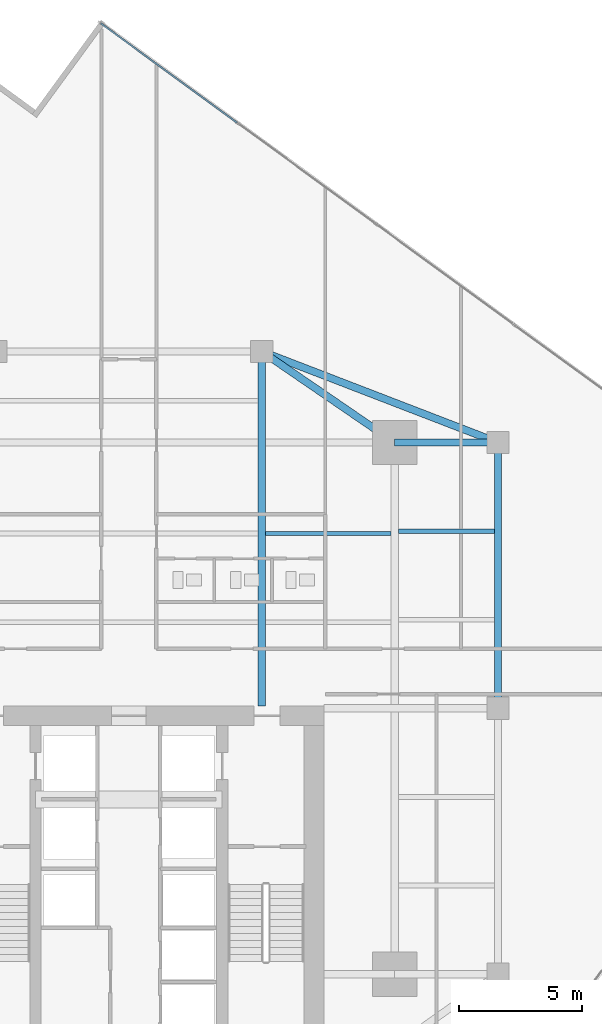
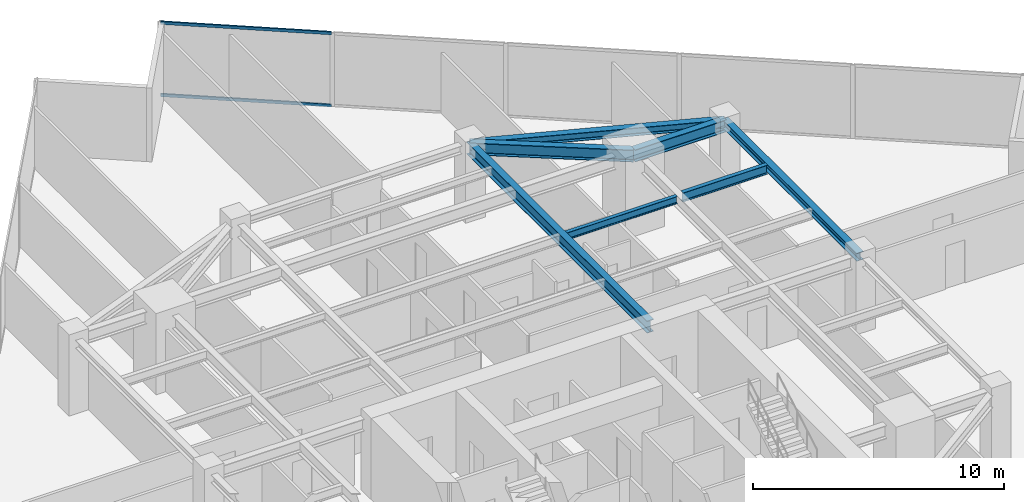
# One storey, part 16 of 25: 7 beams, 2 members, 1 element without a shape of its own.
"""IFC4 building model written with IfcOpenShell, lengths in metres."""

from ifc_helpers import new_model, si_unit, direction, frame, origin, origin_2d, place, context, subcontext, project, spatial, hollow_rectangle, i_section, extrude, source, transform, mapped, material, material_profile, profile_set, type_object, type_shapes, element, aggregate, save


model = new_model("IFC4")

# Units and contexts
model_context = context("Model", 3, precision=1e-05, world=origin(), true_north=direction((0.0, 1.0)))
body_context = subcontext(model_context, "Body", "Model", "MODEL_VIEW")
ifc_project = project(units=[si_unit("LENGTHUNIT", "METRE"), si_unit("AREAUNIT", "SQUARE_METRE"), si_unit("VOLUMEUNIT", "CUBIC_METRE"), si_unit("PLANEANGLEUNIT", "RADIAN"), si_unit("MASSUNIT", "GRAM", prefix="KILO")], contexts=[model_context])

# Site, building, storey
site_placement = place(None, origin())
site = spatial("IfcSite", under=ifc_project, at=site_placement, CompositionType="ELEMENT")
building_placement = place(site_placement, origin())
building = spatial("IfcBuilding", under=site, at=building_placement, Name="Krantzveldt Concourse Tower", CompositionType="ELEMENT")
storey_placement = place(building_placement, frame((0.0, 0.0, 197.550048828125)))
storey = spatial("IfcBuildingStorey", under=building, at=storey_placement, Name="L48", CompositionType="ELEMENT", Elevation=197.550048828125)

# Beams
ifc_material_1 = material(Name="Steel S355JR", Category="steel")
ifc_material_profile_1 = material_profile(ifc_material_1, i_section(OverallWidth=0.300048828125, OverallDepth=0.590087890625, WebThickness=0.012939453125, FlangeThickness=0.02490234375, FilletRadius=0.027099609375, at=origin_2d()), Name="Steel S355JR", Category="steel")
ifc_profile_set_1 = profile_set([ifc_material_profile_1], Name="Steel S355JR - HEA 600")
beam_type_1 = type_object("IfcBeamType", Name="BM-B-HEA600", PredefinedType="BEAM", material=ifc_profile_set_1)
shared_shape_1 = source(origin(), body_context, "Body", "SweptSolid", [
    extrude(i_section(OverallWidth=0.300048828125, OverallDepth=0.590087890625, WebThickness=0.012939453125, FlangeThickness=0.02490234375, FilletRadius=0.027099609375, at=origin_2d()), origin(), (0.0, 0.0, 1.0), 14.39990234375),
])
beam_1_placement = place(storey_placement, frame((41.39990234375, 26.800048828125, 3.294921875), z_axis=(0.0, 1.0, 0.0), x_axis=(-1.0, 0.0, 0.0)))
element("IfcBeam", 1, at=beam_1_placement, inside=storey, type_object=beam_type_1, Name="L48 Tower Girder BG-CNE", PredefinedType="BEAM", context=body_context, shape_type="MappedRepresentation", body=[
    mapped(shared_shape_1, transform((0.0, 0.0, 0.0), x_axis=(1.0, 0.0, 0.0), y_axis=(0.0, 1.0, 0.0), z_axis=(0.0, 0.0, 1.0), scale=1.0)),
])
shared_shape_2 = source(origin(), body_context, "Body", "SweptSolid", [
    extrude(i_section(OverallWidth=0.300048828125, OverallDepth=0.590087890625, WebThickness=0.012939453125, FlangeThickness=0.02490234375, FilletRadius=0.027099609375, at=origin_2d()), origin(), (0.0, 0.0, 1.0), 4.199951171875),
])
beam_2_placement = place(storey_placement, frame((46.800048828125, 37.5, 3.294921875), z_axis=(1.0, 0.0, 0.0), x_axis=(0.0, 1.0, 0.0)))
element("IfcBeam", 2, at=beam_2_placement, inside=storey, type_object=beam_type_1, Name="L48 Tower Girder BR-RR3", PredefinedType="BEAM", context=body_context, shape_type="MappedRepresentation", body=[
    mapped(shared_shape_2, transform((0.0, 0.0, 0.0), x_axis=(1.0, 0.0, 0.0), y_axis=(0.0, 1.0, 0.0), z_axis=(0.0, 0.0, 1.0), scale=1.0)),
])
shared_shape_3 = source(origin(), body_context, "Body", "SweptSolid", [
    extrude(i_section(OverallWidth=0.300048828125, OverallDepth=0.590087890625, WebThickness=0.012939453125, FlangeThickness=0.02490234375, FilletRadius=0.027099609375, at=origin_2d()), origin(), (0.0, 0.0, 1.0), 6.546142578125),
])
type_shapes(beam_type_1, [shared_shape_1, shared_shape_2, shared_shape_3])
beam_3_placement = place(storey_placement, frame((46.800048828125, 37.5, 3.294921875), z_axis=(-0.824942999484, 0.565215930068, 0.0), x_axis=(-0.565215930068, -0.824942999484, 0.0)))
element("IfcBeam", 3, at=beam_3_placement, inside=storey, type_object=beam_type_1, Name="L48 Tower Girder BR-RR4", PredefinedType="BEAM", context=body_context, shape_type="MappedRepresentation", body=[
    mapped(shared_shape_3, transform((0.0, 0.0, 0.0), x_axis=(1.0, 0.0, 0.0), y_axis=(0.0, 1.0, 0.0), z_axis=(0.0, 0.0, 1.0), scale=1.0)),
])
ifc_material_profile_2 = material_profile(ifc_material_1, i_section(OverallWidth=0.300048828125, OverallDepth=0.389892578125, WebThickness=0.010986328125, FlangeThickness=0.01904296875, FilletRadius=0.027099609375, at=origin_2d()), Name="Steel S355JR", Category="steel")
ifc_profile_set_2 = profile_set([ifc_material_profile_2], Name="Steel S355JR - HEA 400")
beam_type_2 = type_object("IfcBeamType", Name="BM-SP-HEA400", PredefinedType="SPANDREL", material=ifc_profile_set_2)
shared_shape_4 = source(origin(), body_context, "Body", "SweptSolid", [
    extrude(i_section(OverallWidth=0.300048828125, OverallDepth=0.389892578125, WebThickness=0.010986328125, FlangeThickness=0.01904296875, FilletRadius=0.027099609375, at=origin_2d()), origin(), (0.0, 0.0, 1.0), 10.800048828125),
])
beam_4_placement = place(storey_placement, frame((51.0, 37.5, 3.39501953125), z_axis=(0.0, -1.0, 0.0), x_axis=(1.0, 0.0, 0.0)))
element("IfcBeam", 4, at=beam_4_placement, inside=storey, type_object=beam_type_2, Name="L48 Tower Girder SP-R06", PredefinedType="SPANDREL", context=body_context, shape_type="MappedRepresentation", body=[
    mapped(shared_shape_4, transform((0.0, 0.0, 0.0), x_axis=(1.0, 0.0, 0.0), y_axis=(0.0, 1.0, 0.0), z_axis=(0.0, 0.0, 1.0), scale=1.0)),
])
shared_shape_5 = source(origin(), body_context, "Body", "SweptSolid", [
    extrude(i_section(OverallWidth=0.300048828125, OverallDepth=0.389892578125, WebThickness=0.010986328125, FlangeThickness=0.01904296875, FilletRadius=0.027099609375, at=origin_2d()), origin(), (0.0, 0.0, 1.0), 10.288330078125),
])
type_shapes(beam_type_2, [shared_shape_4, shared_shape_5])
beam_5_placement = place(storey_placement, frame((41.39990234375, 41.199951171875, 3.39501953125), z_axis=(0.933097690408, -0.359622997257, 0.0), x_axis=(0.359622997257, 0.933097690408, 0.0)))
element("IfcBeam", 5, at=beam_5_placement, inside=storey, type_object=beam_type_2, Name="L48 Tower Girder SP-R05", PredefinedType="SPANDREL", context=body_context, shape_type="MappedRepresentation", body=[
    mapped(shared_shape_5, transform((0.0, 0.0, 0.0), x_axis=(1.0, 0.0, 0.0), y_axis=(0.0, 1.0, 0.0), z_axis=(0.0, 0.0, 1.0), scale=1.0)),
])
ifc_material_profile_3 = material_profile(ifc_material_1, i_section(OverallWidth=0.169921875, OverallDepth=0.360107421875, WebThickness=0.008056640625, FlangeThickness=0.0126953125, FilletRadius=0.01806640625, at=origin_2d()), Name="Steel S355JR", Category="steel")
ifc_profile_set_3 = profile_set([ifc_material_profile_3], Name="Steel S355JR - IPE 360")
beam_type_3 = type_object("IfcBeamType", Name="BM-J-IPE360", PredefinedType="JOIST", material=ifc_profile_set_3)
shared_shape_6 = source(origin(), body_context, "Body", "SweptSolid", [
    extrude(i_section(OverallWidth=0.169921875, OverallDepth=0.360107421875, WebThickness=0.008056640625, FlangeThickness=0.0126953125, FilletRadius=0.01806640625, at=origin_2d()), origin(), (0.0, 0.0, 1.0), 5.099853515625),
])
type_shapes(beam_type_3, [shared_shape_6])
beam_6_placement = place(storey_placement, frame((41.550048828125, 33.800048828125, 3.409912109375), z_axis=(1.0, 0.0, 0.0), x_axis=(0.0, 1.0, 0.0)))
element("IfcBeam", 6, at=beam_6_placement, inside=storey, type_object=beam_type_3, Name="L48 Secondary Floor Joist JN-E2", PredefinedType="JOIST", context=body_context, shape_type="MappedRepresentation", body=[
    mapped(shared_shape_6, transform((0.0, 0.0, 0.0), x_axis=(1.0, 0.0, 0.0), y_axis=(0.0, 1.0, 0.0), z_axis=(0.0, 0.0, 1.0), scale=1.0)),
])
ifc_material_profile_4 = material_profile(ifc_material_1, i_section(OverallWidth=0.18994140625, OverallDepth=0.449951171875, WebThickness=0.009521484375, FlangeThickness=0.0146484375, FilletRadius=0.02099609375, at=origin_2d()), Name="Steel S355JR", Category="steel")
ifc_profile_set_4 = profile_set([ifc_material_profile_4], Name="Steel S355JR - IPE 450")
beam_type_4 = type_object("IfcBeamType", Name="BM-J-IPE450", PredefinedType="JOIST", material=ifc_profile_set_4)
shared_shape_7 = source(origin(), body_context, "Body", "SweptSolid", [
    extrude(i_section(OverallWidth=0.18994140625, OverallDepth=0.449951171875, WebThickness=0.009521484375, FlangeThickness=0.0146484375, FilletRadius=0.02099609375, at=origin_2d()), origin(), (0.0, 0.0, 1.0), 3.900146484375),
])
type_shapes(beam_type_4, [shared_shape_7])
beam_7_placement = place(storey_placement, frame((46.949951171875, 33.89990234375, 3.364990234375), z_axis=(1.0, 0.0, 0.0), x_axis=(0.0, 1.0, 0.0)))
element("IfcBeam", 7, at=beam_7_placement, inside=storey, type_object=beam_type_4, Name="L48 Secondary Floor Joist JE-4", PredefinedType="JOIST", context=body_context, shape_type="MappedRepresentation", body=[
    mapped(shared_shape_7, transform((0.0, 0.0, 0.0), x_axis=(1.0, 0.0, 0.0), y_axis=(0.0, 1.0, 0.0), z_axis=(0.0, 0.0, 1.0), scale=1.0)),
])

# Curtain wall, members
ifc_material_2 = material(Name="Anodised aluminium 6063-T6", Category="aluminium")
curtain_wall_type = type_object("IfcCurtainWallType", Name="CW3", PredefinedType="USERDEFINED", material=ifc_material_2)
curtain_wall_placement = place(storey_placement, origin())
curtain_wall = element("IfcCurtainWall", 8, at=curtain_wall_placement, inside=storey, type_object=curtain_wall_type, Name="CW-L48-F10", ObjectType="UNITISED CURTAIN WALL", PredefinedType="USERDEFINED")
ifc_material_profile_5 = material_profile(ifc_material_2, hollow_rectangle(XDim=0.070068359375, YDim=0.139892578125, WallThickness=0.0048828125, at=origin_2d()), Name="Anodised aluminium 6063-T6", Category="aluminium")
ifc_profile_set_5 = profile_set([ifc_material_profile_5], Name="Anodised aluminium 6063-T6 - ALU-TRAN 140x70x5")
member_type = type_object("IfcMemberType", Name="CW-TRN-150", PredefinedType="USERDEFINED", material=ifc_profile_set_5)
shared_shape_8 = source(origin(), body_context, "Body", "SweptSolid", [
    extrude(hollow_rectangle(XDim=0.070068359375, YDim=0.139892578125, WallThickness=0.0048828125, at=origin_2d()), origin(), (0.0, 0.0, 1.0), 6.854736328125),
])
type_shapes(member_type, [shared_shape_8])
member_1_placement = place(storey_placement, frame((40.39697265625, 50.4921875, 0.034912109375), z_axis=(-0.807732274439, 0.589549465973, 0.0), x_axis=(-0.589549465973, -0.807732274439, 0.0)))
member_1 = element("IfcMember", 9, at=member_1_placement, type_object=member_type, Name="CW-Z34 transom 5.1", ObjectType="TRANSOM", PredefinedType="USERDEFINED", context=body_context, shape_type="MappedRepresentation", body=[
    mapped(shared_shape_8, transform((0.0, 0.0, 0.0), x_axis=(1.0, 0.0, 0.0), y_axis=(0.0, 1.0, 0.0), z_axis=(0.0, 0.0, 1.0), scale=1.0)),
])
member_2_placement = place(storey_placement, frame((40.39697265625, 50.4921875, 3.554931640625), z_axis=(-0.807732274439, 0.589549465973, 0.0), x_axis=(-0.589549465973, -0.807732274439, 0.0)))
member_2 = element("IfcMember", 10, at=member_2_placement, type_object=member_type, Name="CW-Z34 transom 5.2", ObjectType="TRANSOM", PredefinedType="USERDEFINED", context=body_context, shape_type="MappedRepresentation", body=[
    mapped(shared_shape_8, transform((0.0, 0.0, 0.0), x_axis=(1.0, 0.0, 0.0), y_axis=(0.0, 1.0, 0.0), z_axis=(0.0, 0.0, 1.0), scale=1.0)),
])
aggregate(curtain_wall, [member_1, member_2])

save(model, "model.ifc")
